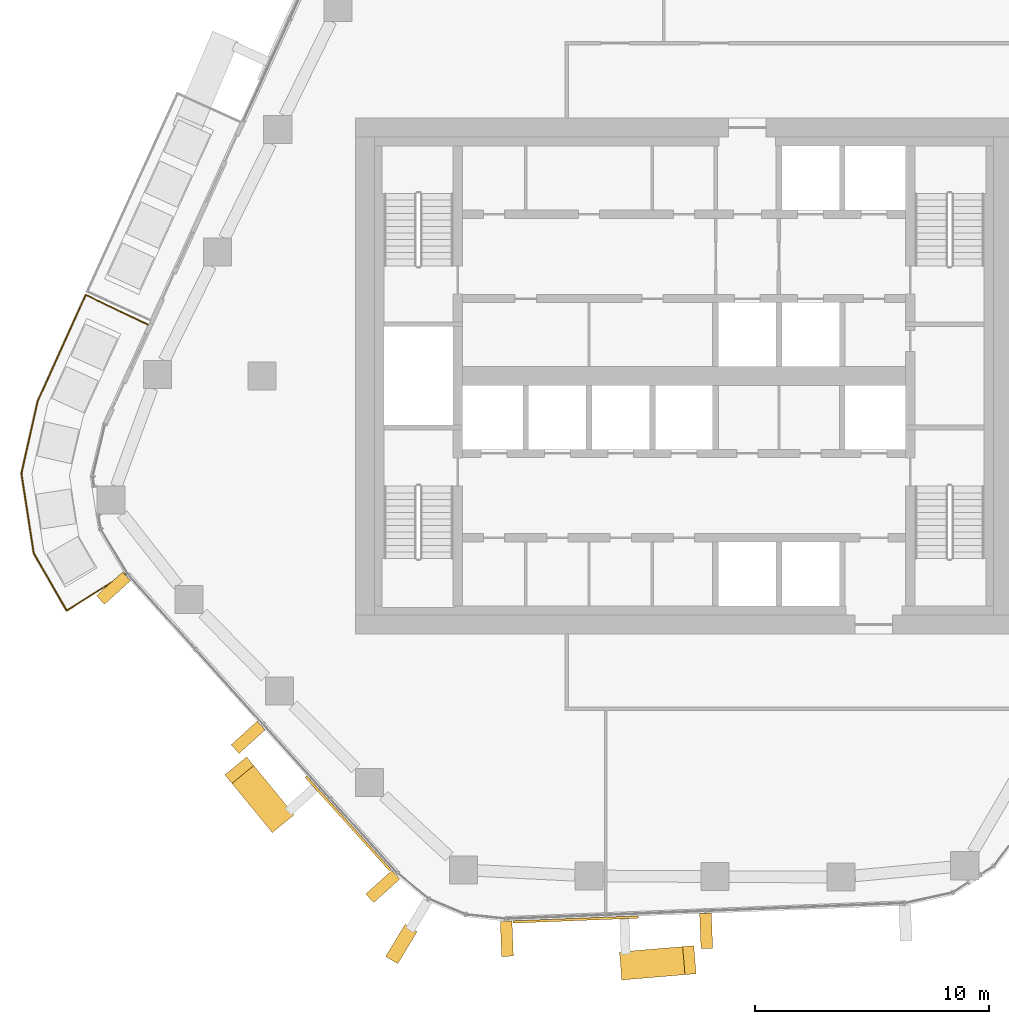
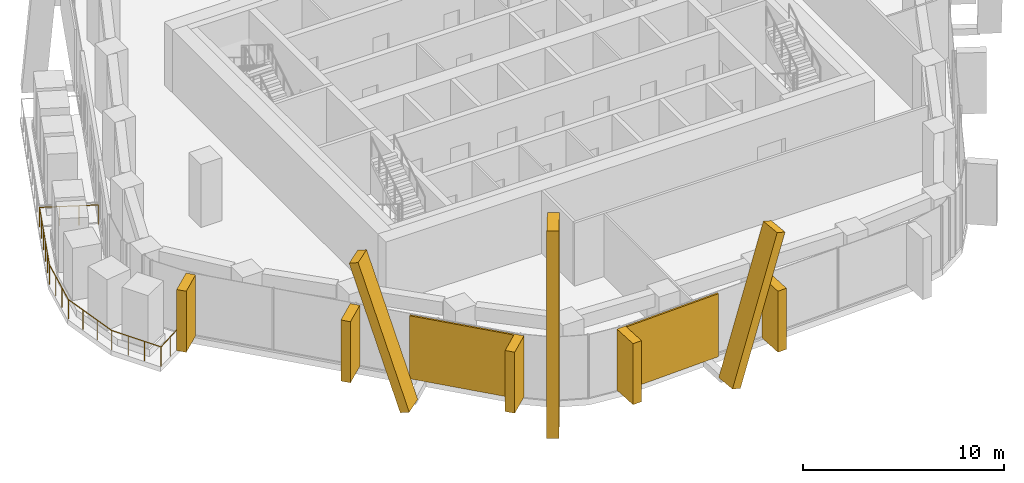
# One storey, part 15 of 19: 10 coverings, 1 railing, 3 elements without a shape of their own.
"""IFC4 building model written with IfcOpenShell, lengths in metres."""

import ifcopenshell
import ifcopenshell.guid

model = None  # the IFC model being written
_history = None  # IfcOwnerHistory: only IFC2X3 demands one
_inside = {}  # id of a spatial element -> (the spatial element, [elements in it])
_under = {}  # id of a project, library or spatial element -> (it, [spatial elements below it])
_declared = {}  # id of a project -> (the project, [libraries it declares])
_typed = {}  # id of a type object -> (the type object, [elements of that type])
_made_of = {}  # id of a material, layer set ... -> (it, [elements and type objects made of it])


def new_model(schema):
    """Start an empty IFC model of exactly this schema.

    Asked for "IFC4X3", IfcOpenShell would pick the latest addendum, in which some entities
    have other attributes; the version numbers below select the first issue.
    IFC2X3 requires an IfcOwnerHistory on every rooted entity: one is made here for all.
    """
    global model, _history
    if schema == "IFC4X3":
        model = ifcopenshell.file(schema_version=(4, 3, 0, 0))
    else:
        model = ifcopenshell.file(schema=schema)
    _inside.clear()
    _under.clear()
    _declared.clear()
    _typed.clear()
    _made_of.clear()
    _history = None
    if model.schema == "IFC2X3":
        org = make("IfcOrganization", Name="unknown")
        user = make(
            "IfcPersonAndOrganization",
            ThePerson=make("IfcPerson", FamilyName="unknown"),
            TheOrganization=org,
        )
        app = make(
            "IfcApplication",
            ApplicationDeveloper=org,
            Version="unknown",
            ApplicationFullName="unknown",
            ApplicationIdentifier="unknown",
        )
        _history = make(
            "IfcOwnerHistory",
            OwningUser=user,
            OwningApplication=app,
            ChangeAction="ADDED",
            CreationDate=0,
        )
    return model


def make(cls, **values):
    """One entity of the class cls with the attributes given. An attribute that is None is left unset."""
    return model.create_entity(
        cls, **{name: value for name, value in values.items() if value is not None}
    )


def rooted(cls, **values):
    """An entity with a GlobalId (a new one), such as an element, a storey or a relation."""
    return make(cls, GlobalId=ifcopenshell.guid.new(), OwnerHistory=_history, **values)


def si_unit(unit_type, name, prefix=None):
    """IfcSIUnit, for example si_unit("LENGTHUNIT", "METRE", prefix="MILLI")."""
    return make("IfcSIUnit", UnitType=unit_type, Prefix=prefix, Name=name)


def assignment(units):
    """IfcUnitAssignment: the units of a project."""
    return None if units is None else make("IfcUnitAssignment", Units=units)


def point(xyz):
    """IfcCartesianPoint."""
    return None if xyz is None else make("IfcCartesianPoint", Coordinates=xyz)


def direction(xyz):
    """IfcDirection."""
    return None if xyz is None else make("IfcDirection", DirectionRatios=xyz)


def frame(location, z_axis=None, x_axis=None):
    """IfcAxis2Placement3D, a coordinate frame: its origin and axes. An axis left out is left unset."""
    return make(
        "IfcAxis2Placement3D",
        Location=point(location),
        Axis=direction(z_axis),
        RefDirection=direction(x_axis),
    )


def frame_2d(location, x_axis=None):
    """IfcAxis2Placement2D, a coordinate frame in the plane: its origin and x axis."""
    return make(
        "IfcAxis2Placement2D", Location=point(location), RefDirection=direction(x_axis)
    )


def origin():
    """The frame at (0, 0, 0) with its axes left unset."""
    return frame((0.0, 0.0, 0.0))


def origin_2d():
    """The frame at (0, 0) in the plane with its x axis left unset."""
    return frame_2d((0.0, 0.0))


def place(relative_to, where):
    """IfcLocalPlacement: puts the frame where relative to a parent placement (None: the world)."""
    return make(
        "IfcLocalPlacement", PlacementRelTo=relative_to, RelativePlacement=where
    )


def context(
    kind, dimensions, precision=None, world=None, true_north=None, identifier=None
):
    """IfcGeometricRepresentationContext, for example the 3D "Model" context."""
    return make(
        "IfcGeometricRepresentationContext",
        ContextIdentifier=identifier,
        ContextType=kind,
        CoordinateSpaceDimension=dimensions,
        Precision=precision,
        WorldCoordinateSystem=world,
        TrueNorth=true_north,
    )


def subcontext(parent, identifier, kind, view, scale=None):
    """IfcGeometricRepresentationSubContext, for example "Body" below "Model"."""
    return make(
        "IfcGeometricRepresentationSubContext",
        ContextIdentifier=identifier,
        ContextType=kind,
        ParentContext=parent,
        TargetScale=scale,
        TargetView=view,
    )


def project(units=None, contexts=None):
    """IfcProject with its units and contexts."""
    return rooted(
        "IfcProject",
        Name="project",
        RepresentationContexts=contexts,
        UnitsInContext=assignment(units),
    )


def spatial(cls, under=None, at=None, **own):
    """A site, building, storey or space (cls), placed at a placement, below another one or the project."""
    s = rooted(cls, ObjectPlacement=at, **own)
    if under is not None:
        _under.setdefault(under.id(), (under, []))[1].append(s)
    return s


def profile(cls, at=None, kind="AREA", **sizes):
    """A parametric profile (cls). Its sizes go by their IFC names, for example OverallWidth=200.0."""
    return make(cls, ProfileType=kind, Position=at, **sizes)


def rectangle(**sizes):
    """IfcRectangleProfileDef."""
    return profile("IfcRectangleProfileDef", **sizes)


def circle(**sizes):
    """IfcCircleProfileDef."""
    return profile("IfcCircleProfileDef", **sizes)


def extrude(swept, where, along, depth):
    """IfcExtrudedAreaSolid: the profile swept, set in the frame where, extruded along a direction by depth."""
    return make(
        "IfcExtrudedAreaSolid",
        SweptArea=swept,
        Position=where,
        ExtrudedDirection=direction(along),
        Depth=depth,
    )


def shape(context_of_items, identifier, shape_type, items):
    """IfcShapeRepresentation: the items that make up one representation, for example the "Body"."""
    return make(
        "IfcShapeRepresentation",
        ContextOfItems=context_of_items,
        RepresentationIdentifier=identifier,
        RepresentationType=shape_type,
        Items=items,
    )


def material(Name=None, Category=None):
    """IfcMaterial."""
    return make("IfcMaterial", Name=Name, Category=Category)


def layer(
    of_material, thickness, ventilated=None, Name=None, Category=None, Priority=None
):
    """IfcMaterialLayer: one layer of a wall or slab, of a material (None: an air gap)."""
    return make(
        "IfcMaterialLayer",
        Material=of_material,
        LayerThickness=thickness,
        IsVentilated=ventilated,
        Name=Name,
        Category=Category,
        Priority=Priority,
    )


def layer_set(layers, Name=None):
    """IfcMaterialLayerSet."""
    return make("IfcMaterialLayerSet", MaterialLayers=layers, LayerSetName=Name)


def material_profile(
    of_material, cross_section, Name=None, Category=None, Priority=None
):
    """IfcMaterialProfile: a cross section and its material."""
    return make(
        "IfcMaterialProfile",
        Name=Name,
        Material=of_material,
        Profile=cross_section,
        Priority=Priority,
        Category=Category,
    )


def profile_set(profiles, Name=None, composite=None):
    """IfcMaterialProfileSet."""
    return make(
        "IfcMaterialProfileSet",
        Name=Name,
        MaterialProfiles=profiles,
        CompositeProfile=composite,
    )


def made_of(thing, what):
    """Note that an element or type object is made of a material, layer set ...; save() writes the relation."""
    if what is not None:
        _made_of.setdefault(what.id(), (what, []))[1].append(thing)
    return thing


def type_object(cls, material=None, **own):
    """A type object (cls), such as IfcWallType, which elements share."""
    return made_of(rooted(cls, **own), material)


def element(
    cls,
    number,
    at=None,
    inside=None,
    cuts=None,
    type_object=None,
    material=None,
    context=None,
    identifier="Body",
    shape_type=None,
    held_by="IfcProductDefinitionShape",
    body=None,
    shapes=None,
    **own,
):
    """One element of the class cls, such as IfcWall. Its Tag is "e" and its number.

    at: its placement. inside: the storey or other place that contains it. cuts: it is an
    opening in that element (IfcRelVoidsElement). A single representation is given by context,
    identifier, shape_type and body (its items); several are given by shapes. held_by: the class
    of the entity that holds the representations. save() writes the other relations.
    """
    e = rooted(cls, Tag="e%d" % number, ObjectPlacement=at, **own)
    if body is not None:
        shapes = [shape(context, identifier, shape_type, body)]
    if shapes is not None:
        e.Representation = make(held_by, Representations=shapes)
    if inside is not None:
        _inside.setdefault(inside.id(), (inside, []))[1].append(e)
    if cuts is not None:
        rooted(
            "IfcRelVoidsElement", RelatingBuildingElement=cuts, RelatedOpeningElement=e
        )
    if type_object is not None:
        _typed.setdefault(type_object.id(), (type_object, []))[1].append(e)
    return made_of(e, material)


def aggregate(whole, parts):
    """IfcRelAggregates: a whole, such as a stair, and the parts it consists of."""
    return rooted("IfcRelAggregates", RelatingObject=whole, RelatedObjects=parts)


def save(model, path):
    """Write the relations noted so far, then the file.

    IfcRelAggregates (storeys below a building ...), IfcRelContainedInSpatialStructure (elements
    in a storey), IfcRelDefinesByType, IfcRelAssociatesMaterial and IfcRelDeclares: one each for
    every whole, place, type object, material and project.
    """
    for whole, parts in _under.values():
        aggregate(whole, parts)
    for where, things in _inside.values():
        rooted(
            "IfcRelContainedInSpatialStructure",
            RelatedElements=things,
            RelatingStructure=where,
        )
    for kind, things in _typed.values():
        rooted("IfcRelDefinesByType", RelatedObjects=things, RelatingType=kind)
    for what, things in _made_of.values():
        rooted("IfcRelAssociatesMaterial", RelatedObjects=things, RelatingMaterial=what)
    for by, libraries in _declared.values():
        rooted("IfcRelDeclares", RelatingContext=by, RelatedDefinitions=libraries)
    model.write(path)


model = new_model("IFC4")

# Units and contexts
model_context = context("Model", 3, precision=1e-05, world=origin(), true_north=direction((0.0, 1.0)))
body_context = subcontext(model_context, "Body", "Model", "MODEL_VIEW")
ifc_project = project(units=[si_unit("LENGTHUNIT", "METRE"), si_unit("AREAUNIT", "SQUARE_METRE"), si_unit("VOLUMEUNIT", "CUBIC_METRE"), si_unit("PLANEANGLEUNIT", "RADIAN"), si_unit("MASSUNIT", "GRAM", prefix="KILO")], contexts=[model_context])

# Site, building, storey
site_placement = place(None, origin())
site = spatial("IfcSite", under=ifc_project, at=site_placement, CompositionType="ELEMENT")
building_placement = place(site_placement, origin())
building = spatial("IfcBuilding", under=site, at=building_placement, Name="Dongbaek Canopy Tower", CompositionType="ELEMENT")
storey_placement = place(building_placement, frame((0.0, 0.0, 198.800048828125)))
storey = spatial("IfcBuildingStorey", under=building, at=storey_placement, Name="L41", CompositionType="ELEMENT", Elevation=198.800048828125)

# Railing
ifc_material_1 = material(Name="Stainless steel", Category="steel")
railing_type = type_object("IfcRailingType", Name="Balcony balustrade 1200", PredefinedType="BALUSTRADE", material=ifc_material_1)
railing_placement = place(storey_placement, frame((-22.8623046875, 2.188720703125, 0.0)))
element("IfcRailing", 1, at=railing_placement, inside=storey, type_object=railing_type, Name="Balcony guard L41 2", PredefinedType="BALUSTRADE", context=body_context, shape_type="SweptSolid", body=[
    extrude(circle(Radius=0.02392578125, at=origin_2d()), frame((0.0, 0.0, 1.17578125), z_axis=(-0.901259905874, 0.433278873319, 0.0), x_axis=(-0.433278873319, -0.901259905874, 0.0)), (0.0, 0.0, 1.0), 2.940673828125),
    extrude(circle(Radius=0.02392578125, at=origin_2d()), frame((-2.650390625, 1.274169921875, 1.17578125), z_axis=(-0.412240513093, -0.911075056933, 0.0), x_axis=(0.911075056933, -0.412240513093, 0.0)), (0.0, 0.0, 1.0), 4.98193359375),
    extrude(circle(Radius=0.02392578125, at=origin_2d()), frame((-4.7041015625, -3.2646484375, 1.17578125), z_axis=(-0.219195960241, -0.975680855103, 0.0), x_axis=(0.975680855103, -0.219195960241, 0.0)), (0.0, 0.0, 1.0), 3.159912109375),
    extrude(circle(Radius=0.02392578125, at=origin_2d()), frame((-5.396728515625, -6.34765625, 1.17578125), z_axis=(0.152755574193, -0.988264000434, 0.0), x_axis=(0.988264000434, 0.152755574193, 0.0)), (0.0, 0.0, 1.0), 3.44091796875),
    extrude(circle(Radius=0.02392578125, at=origin_2d()), frame((-4.87109375, -9.748291015625, 1.17578125), z_axis=(0.497896398435, -0.867236517004, 0.0), x_axis=(0.867236517004, 0.497896398435, 0.0)), (0.0, 0.0, 1.0), 2.825927734375),
    extrude(circle(Radius=0.02392578125, at=origin_2d()), frame((-3.464111328125, -12.198974609375, 1.17578125), z_axis=(0.846680365996, 0.532101830326, 0.0), x_axis=(-0.532101830326, 0.846680365996, 0.0)), (0.0, 0.0, 1.0), 2.940673828125),
    extrude(circle(Radius=0.02099609375, at=origin_2d()), origin(), (0.0, 0.0, 1.0), 1.15185546875),
    extrude(circle(Radius=0.02099609375, at=origin_2d()), frame((-0.883544921875, 0.4248046875, 0.0)), (0.0, 0.0, 1.0), 1.15185546875),
    extrude(circle(Radius=0.02099609375, at=origin_2d()), frame((-1.766845703125, 0.849365234375, 0.0)), (0.0, 0.0, 1.0), 1.15185546875),
    extrude(circle(Radius=0.02099609375, at=origin_2d()), frame((-2.650390625, 1.274169921875, 0.0)), (0.0, 0.0, 1.0), 1.15185546875),
    extrude(circle(Radius=0.02099609375, at=origin_2d()), frame((-3.06103515625, 0.366455078125, 0.0)), (0.0, 0.0, 1.0), 1.15185546875),
    extrude(circle(Radius=0.02099609375, at=origin_2d()), frame((-3.471923828125, -0.541259765625, 0.0)), (0.0, 0.0, 1.0), 1.15185546875),
    extrude(circle(Radius=0.02099609375, at=origin_2d()), frame((-3.882568359375, -1.44921875, 0.0)), (0.0, 0.0, 1.0), 1.15185546875),
    extrude(circle(Radius=0.02099609375, at=origin_2d()), frame((-4.29345703125, -2.35693359375, 0.0)), (0.0, 0.0, 1.0), 1.15185546875),
    extrude(circle(Radius=0.02099609375, at=origin_2d()), frame((-4.7041015625, -3.2646484375, 0.0)), (0.0, 0.0, 1.0), 1.15185546875),
    extrude(circle(Radius=0.02099609375, at=origin_2d()), frame((-4.93505859375, -4.292236328125, 0.0)), (0.0, 0.0, 1.0), 1.15185546875),
    extrude(circle(Radius=0.02099609375, at=origin_2d()), frame((-5.165771484375, -5.320068359375, 0.0)), (0.0, 0.0, 1.0), 1.15185546875),
    extrude(circle(Radius=0.02099609375, at=origin_2d()), frame((-5.396728515625, -6.34765625, 0.0)), (0.0, 0.0, 1.0), 1.15185546875),
    extrude(circle(Radius=0.02099609375, at=origin_2d()), frame((-5.221435546875, -7.481201171875, 0.0)), (0.0, 0.0, 1.0), 1.15185546875),
    extrude(circle(Radius=0.02099609375, at=origin_2d()), frame((-5.04638671875, -8.61474609375, 0.0)), (0.0, 0.0, 1.0), 1.15185546875),
    extrude(circle(Radius=0.02099609375, at=origin_2d()), frame((-4.87109375, -9.748291015625, 0.0)), (0.0, 0.0, 1.0), 1.15185546875),
    extrude(circle(Radius=0.02099609375, at=origin_2d()), frame((-4.402099609375, -10.565185546875, 0.0)), (0.0, 0.0, 1.0), 1.15185546875),
    extrude(circle(Radius=0.02099609375, at=origin_2d()), frame((-3.93310546875, -11.382080078125, 0.0)), (0.0, 0.0, 1.0), 1.15185546875),
    extrude(circle(Radius=0.02099609375, at=origin_2d()), frame((-3.464111328125, -12.198974609375, 0.0)), (0.0, 0.0, 1.0), 1.15185546875),
    extrude(circle(Radius=0.02099609375, at=origin_2d()), frame((-2.63427734375, -11.677490234375, 0.0)), (0.0, 0.0, 1.0), 1.15185546875),
    extrude(circle(Radius=0.02099609375, at=origin_2d()), frame((-1.80419921875, -11.15576171875, 0.0)), (0.0, 0.0, 1.0), 1.15185546875),
    extrude(circle(Radius=0.02099609375, at=origin_2d()), frame((-0.974365234375, -10.63427734375, 0.0)), (0.0, 0.0, 1.0), 1.15185546875),
])

# Curtain wall, covering
ifc_material_2 = material(Name="Aluminium 6063-T6 pale anodised", Category="aluminium")
ifc_layer_1 = layer(ifc_material_2, 0.199951171875)
ifc_layer_set_1 = layer_set([ifc_layer_1], Name="CW-1 unitised tower curtain wall")
curtain_wall_type = type_object("IfcCurtainWallType", Name="CW-1 unitised tower curtain wall", PredefinedType="NOTDEFINED", material=ifc_layer_set_1)
curtain_wall_1_placement = place(storey_placement, origin())
curtain_wall_1 = element("IfcCurtainWall", 2, at=curtain_wall_1_placement, inside=storey, type_object=curtain_wall_type, Name="CW-1 curtain wall K4.1", PredefinedType="NOTDEFINED")
ifc_material_3 = material(Name="Aluminium 6063-T6 pale metal fin", Category="aluminium")
ifc_material_profile_1 = material_profile(ifc_material_3, rectangle(XDim=1.60009765625, YDim=0.60009765625, at=origin_2d()), Name="Corner fin CN1 600 x 1600 pale metal")
ifc_profile_set_1 = profile_set([ifc_material_profile_1], Name="Aluminium 6063-T6 pale metal fin")
covering_type_1 = type_object("IfcCoveringType", Name="Corner fin CN1 600 x 1600 pale metal", PredefinedType="CLADDING", material=ifc_profile_set_1)
covering_1_placement = place(storey_placement, frame((-12.0517578125, -24.2265625, -0.18994140625), z_axis=(0.0, 0.0, 1.0), x_axis=(-0.51804940258, -0.855350697952, 0.0)))
covering_1 = element("IfcCovering", 3, at=covering_1_placement, type_object=covering_type_1, Name="Corner fin L41 L43 K4", PredefinedType="CLADDING", context=body_context, shape_type="SweptSolid", body=[
    extrude(rectangle(XDim=1.60009765625, YDim=0.60009765625, at=origin_2d()), origin(), (0.0, 0.0, 1.0), 12.579833984375),
])
aggregate(curtain_wall_1, [covering_1])

curtain_wall_2_placement = place(storey_placement, origin())
curtain_wall_2 = element("IfcCurtainWall", 4, at=curtain_wall_2_placement, inside=storey, type_object=curtain_wall_type, Name="CW-1 curtain wall F3.1", PredefinedType="NOTDEFINED")
ifc_material_4 = material(Name="Aluminium 6063-T6 pale metal fin", Category="aluminium")
ifc_material_profile_2 = material_profile(ifc_material_4, rectangle(XDim=1.199951171875, YDim=0.5, at=origin_2d()), Name="Crease fin CF1 500 x 1200 pale metal")
ifc_profile_set_2 = profile_set([ifc_material_profile_2], Name="Aluminium 6063-T6 pale metal fin")
covering_type_2 = type_object("IfcCoveringType", Name="Crease fin CF1 500 x 1200 pale metal", PredefinedType="CLADDING", material=ifc_profile_set_2)
covering_2_placement = place(storey_placement, frame((-17.243408203125, -18.909423828125, -0.18994140625), z_axis=(-0.19515133029, 0.237494965023, 0.951583995176), x_axis=(-0.772620644114, -0.634867970754, 0.0)))
covering_2 = element("IfcCovering", 5, at=covering_2_placement, type_object=covering_type_2, Name="Crease fin L41 L43 F3", PredefinedType="CLADDING", context=body_context, shape_type="SweptSolid", body=[
    extrude(rectangle(XDim=1.199951171875, YDim=0.5, at=origin_2d()), origin(), (0.0, 0.0, 1.0), 8.827392578125),
])

curtain_wall_3_placement = place(storey_placement, origin())
curtain_wall_3 = element("IfcCurtainWall", 6, at=curtain_wall_3_placement, inside=storey, type_object=curtain_wall_type, Name="CW-1 curtain wall F4.1", PredefinedType="NOTDEFINED")
covering_3_placement = place(storey_placement, frame((-2.466552734375, -25.141845703125, -0.18994140625), z_axis=(0.305354363101, 0.02572977781, 0.951891113242), x_axis=(-0.083964477305, 0.996468748407, 0.0)))
covering_3 = element("IfcCovering", 7, at=covering_3_placement, type_object=covering_type_2, Name="Crease fin L41 L43 F4", PredefinedType="CLADDING", context=body_context, shape_type="SweptSolid", body=[
    extrude(rectangle(XDim=1.199951171875, YDim=0.5, at=origin_2d()), origin(), (0.0, 0.0, 1.0), 8.824462890625),
])

# Covering
ifc_material_5 = material(Name="Perforated aluminium 6063-T6 pale metal screen", Category="aluminium")
ifc_layer_2 = layer(ifc_material_5, 0.10009765625)
ifc_layer_set_2 = layer_set([ifc_layer_2], Name="Facet screen FS1 100 pale metal")
covering_type_3 = type_object("IfcCoveringType", Name="Facet screen FS1 100 pale metal", PredefinedType="CLADDING", material=ifc_layer_set_2)
covering_4_placement = place(storey_placement, frame((-14.32470703125, -19.0830078125, 0.0), z_axis=(0.0, 0.0, 1.0), x_axis=(0.670067827801, -0.742299876159, 0.0)))
covering_4 = element("IfcCovering", 8, at=covering_4_placement, type_object=covering_type_3, Name="Facet screen L41 F3", PredefinedType="CLADDING", context=body_context, shape_type="SweptSolid", body=[
    extrude(rectangle(XDim=5.396484375, YDim=0.10009765625, at=origin_2d()), origin(), (0.0, 0.0, 1.0), 3.820068359375),
])

covering_5_placement = place(storey_placement, frame((-4.61669921875, -23.179931640625, 0.0), z_axis=(0.0, 0.0, 1.0), x_axis=(0.999228419426, 0.039275511607, 0.0)))
covering_5 = element("IfcCovering", 9, at=covering_5_placement, type_object=covering_type_3, Name="Facet screen L41 F4", PredefinedType="CLADDING", context=body_context, shape_type="SweptSolid", body=[
    extrude(rectangle(XDim=5.36083984375, YDim=0.10009765625, at=origin_2d()), origin(), (0.0, 0.0, 1.0), 3.820068359375),
])

ifc_material_6 = material(Name="Aluminium 6063-T6 pale metal fin", Category="aluminium")
ifc_material_profile_3 = material_profile(ifc_material_6, rectangle(XDim=1.5, YDim=0.5, at=origin_2d()), Name="Fin FN1 500 x 1500 pale metal")
ifc_profile_set_3 = profile_set([ifc_material_profile_3], Name="Aluminium 6063-T6 pale metal fin")
covering_type_4 = type_object("IfcCoveringType", Name="Fin FN1 500 x 1500 pale metal", PredefinedType="CLADDING", material=ifc_profile_set_3)
covering_6_placement = place(storey_placement, frame((-24.330322265625, -9.0498046875, 0.119873046875), z_axis=(0.0, 0.0, 1.0), x_axis=(-0.742300008663, -0.670067681014, 0.0)))
covering_6 = element("IfcCovering", 10, at=covering_6_placement, type_object=covering_type_4, Name="Fin F3.1.1", PredefinedType="CLADDING", context=body_context, shape_type="SweptSolid", body=[
    extrude(rectangle(XDim=1.5, YDim=0.5, at=origin_2d()), origin(), (0.0, 0.0, 1.0), 3.7001953125),
])

covering_7_placement = place(storey_placement, frame((-18.58837890625, -15.410400390625, 0.119873046875), z_axis=(0.0, 0.0, 1.0), x_axis=(-0.742300008663, -0.670067681014, 0.0)))
covering_7 = element("IfcCovering", 11, at=covering_7_placement, type_object=covering_type_4, Name="Fin F3.1.3", PredefinedType="CLADDING", context=body_context, shape_type="SweptSolid", body=[
    extrude(rectangle(XDim=1.5, YDim=0.5, at=origin_2d()), origin(), (0.0, 0.0, 1.0), 3.7001953125),
])

covering_8_placement = place(storey_placement, frame((-12.844970703125, -21.77294921875, 0.119873046875), z_axis=(0.0, 0.0, 1.0), x_axis=(-0.742300008663, -0.670067681014, 0.0)))
covering_8 = element("IfcCovering", 12, at=covering_8_placement, type_object=covering_type_4, Name="Fin F3.1.5", PredefinedType="CLADDING", context=body_context, shape_type="SweptSolid", body=[
    extrude(rectangle(XDim=1.5, YDim=0.5, at=origin_2d()), origin(), (0.0, 0.0, 1.0), 3.7001953125),
])

aggregate(curtain_wall_2, [covering_6, covering_7, covering_8, covering_2, covering_4])

covering_9_placement = place(storey_placement, frame((-7.55712890625, -24.0, 0.119873046875), z_axis=(0.0, 0.0, 1.0), x_axis=(0.039275850271, -0.999228406114, 0.0)))
covering_9 = element("IfcCovering", 13, at=covering_9_placement, type_object=covering_type_4, Name="Fin F4.1.1", PredefinedType="CLADDING", context=body_context, shape_type="SweptSolid", body=[
    extrude(rectangle(XDim=1.5, YDim=0.5, at=origin_2d()), origin(), (0.0, 0.0, 1.0), 3.7001953125),
])

covering_10_placement = place(storey_placement, frame((0.944091796875, -23.665771484375, 0.119873046875), z_axis=(0.0, 0.0, 1.0), x_axis=(0.039275850271, -0.999228406114, 0.0)))
covering_10 = element("IfcCovering", 14, at=covering_10_placement, type_object=covering_type_4, Name="Fin F4.1.3", PredefinedType="CLADDING", context=body_context, shape_type="SweptSolid", body=[
    extrude(rectangle(XDim=1.5, YDim=0.5, at=origin_2d()), origin(), (0.0, 0.0, 1.0), 3.7001953125),
])

aggregate(curtain_wall_3, [covering_9, covering_10, covering_3, covering_5])

save(model, "model.ifc")
